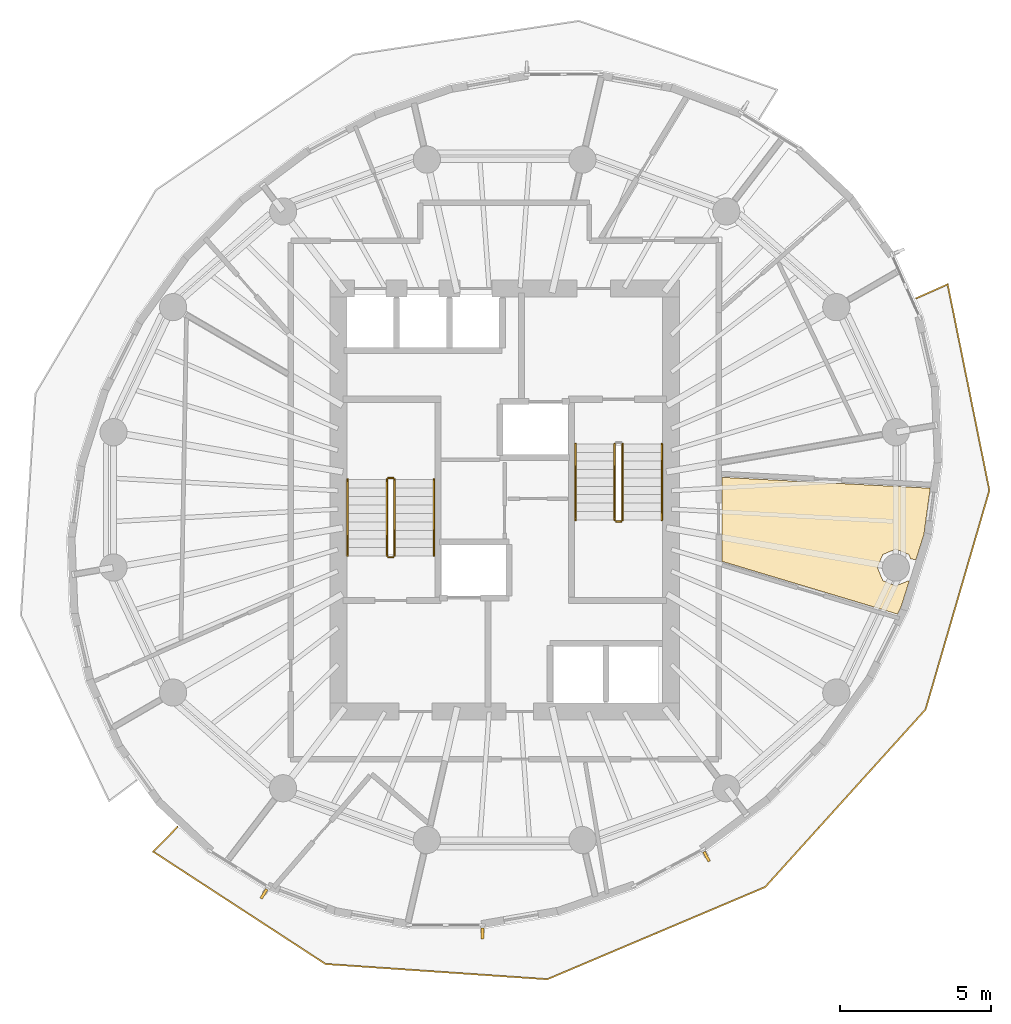
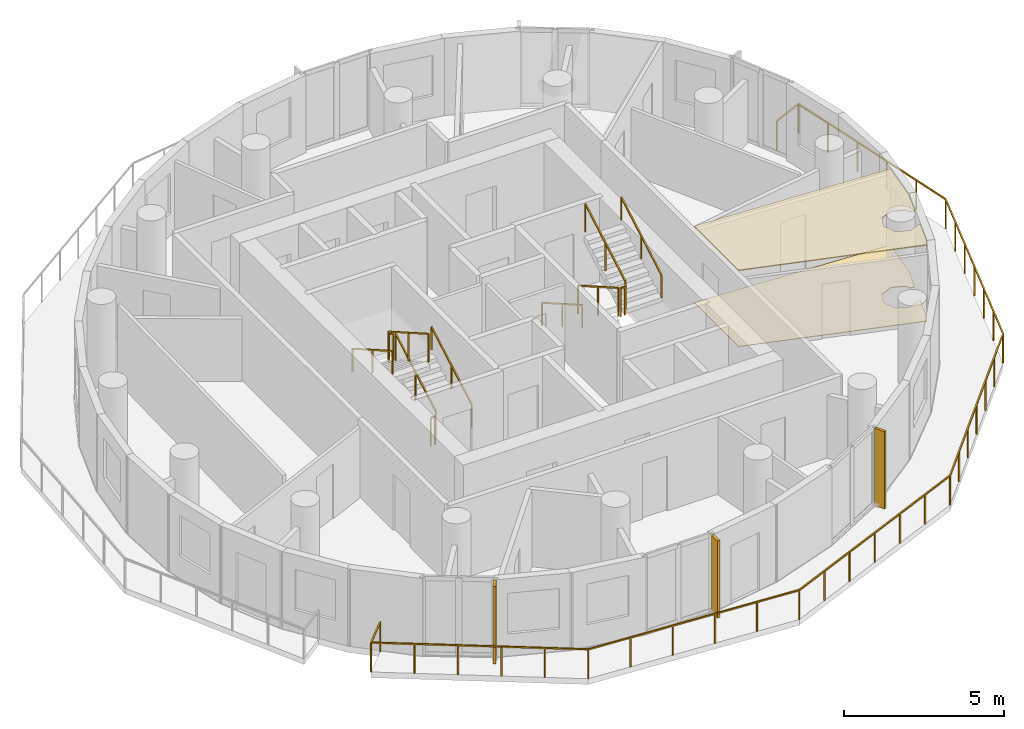
# One storey, part 8 of 10: 12 railings, 3 shading devices, 2 coverings.
"""IFC4 building model written with IfcOpenShell, lengths in metres."""

from ifc_helpers import new_model, si_unit, direction, frame, origin, origin_2d, place, context, subcontext, project, spatial, polyline, rectangle, outline, extrude, material, layer, layer_set, type_object, element, save


model = new_model("IFC4")

# Units and contexts
model_context = context("Model", 3, precision=1e-05, world=origin(), true_north=direction((0.0, 1.0)))
body_context = subcontext(model_context, "Body", "Model", "MODEL_VIEW")
ifc_project = project(units=[si_unit("LENGTHUNIT", "METRE"), si_unit("AREAUNIT", "SQUARE_METRE"), si_unit("VOLUMEUNIT", "CUBIC_METRE"), si_unit("PLANEANGLEUNIT", "RADIAN"), si_unit("MASSUNIT", "GRAM", prefix="KILO")], contexts=[model_context])

# Site, building, storey
site_placement = place(None, origin())
site = spatial("IfcSite", under=ifc_project, at=site_placement, CompositionType="ELEMENT")
building_placement = place(site_placement, origin())
building = spatial("IfcBuilding", under=site, at=building_placement, Name="Veldorim Arch Residences", CompositionType="ELEMENT")
storey_placement = place(building_placement, frame((0.0, 0.0, 172.639892578125)))
storey = spatial("IfcBuildingStorey", under=building, at=storey_placement, Name="L51", CompositionType="ELEMENT", Elevation=172.639892578125)

# Railings
ifc_material_1 = material(Name="Aluminium", Category="aluminium")
railing_type_1 = type_object("IfcRailingType", Name="Balcony & Terrace Laminated Glass Balustrade 1150", PredefinedType="BALUSTRADE", material=ifc_material_1)
railing_1_placement = place(storey_placement, frame((21.172607421875, 13.17724609375, 0.0)))
element("IfcRailing", 1, at=railing_1_placement, inside=storey, type_object=railing_type_1, Name="L51 crescent balcony safety balustrade B", PredefinedType="BALUSTRADE", context=body_context, shape_type="SweptSolid", body=[
    extrude(rectangle(XDim=0.048095703125, YDim=0.048095703125, at=origin_2d()), frame((0.0, 0.0, 1.1259765625), z_axis=(-0.700173288971, -0.713972944454, 0.0), x_axis=(0.713972944454, -0.700173288971, 0.0)), (0.0, 0.0, 1.0), 1.14990234375),
    extrude(rectangle(XDim=0.048095703125, YDim=0.048095703125, at=origin_2d()), frame((-0.80517578125, -0.821044921875, 1.1259765625), z_axis=(0.837688338332, -0.546148558382, 0.0), x_axis=(0.546148558382, 0.837688338332, 0.0)), (0.0, 0.0, 1.0), 6.80908203125),
    extrude(rectangle(XDim=0.048095703125, YDim=0.048095703125, at=origin_2d()), frame((4.898681640625, -4.539794921875, 1.1259765625), z_axis=(0.997644680332, -0.068593671764, 0.0), x_axis=(0.068593671764, 0.997644680332, 0.0)), (0.0, 0.0, 1.0), 7.35693359375),
    extrude(rectangle(XDim=0.048095703125, YDim=0.048095703125, at=origin_2d()), frame((12.23828125, -5.04443359375, 1.1259765625), z_axis=(0.920939712465, 0.389705075673, 0.0), x_axis=(-0.389705075673, 0.920939712465, 0.0)), (0.0, 0.0, 1.0), 7.83154296875),
    extrude(rectangle(XDim=0.048095703125, YDim=0.048095703125, at=origin_2d()), frame((19.45068359375, -1.992431640625, 1.1259765625), z_axis=(0.670326238201, 0.742066529618, 0.0), x_axis=(-0.742066529618, 0.670326238201, 0.0)), (0.0, 0.0, 1.0), 7.9189453125),
    extrude(rectangle(XDim=0.048095703125, YDim=0.048095703125, at=origin_2d()), frame((24.759033203125, 3.884033203125, 1.1259765625), z_axis=(0.279642617111, 0.960104164503, 0.0), x_axis=(-0.960104164503, 0.279642617111, 0.0)), (0.0, 0.0, 1.0), 7.555419921875),
    extrude(rectangle(XDim=0.048095703125, YDim=0.048095703125, at=origin_2d()), frame((26.871826171875, 11.137939453125, 1.1259765625), z_axis=(-0.198747614893, 0.980050705614, 0.0), x_axis=(-0.980050705614, -0.198747614893, 0.0)), (0.0, 0.0, 1.0), 6.956298828125),
    extrude(rectangle(XDim=0.048095703125, YDim=0.048095703125, at=origin_2d()), frame((25.4892578125, 17.95556640625, 1.1259765625), z_axis=(-0.913802793159, -0.406158165268, 0.0), x_axis=(0.406158165268, -0.913802793159, 0.0)), (0.0, 0.0, 1.0), 1.14990234375),
    extrude(rectangle(XDim=0.0419921875, YDim=0.0419921875, at=origin_2d()), origin(), (0.0, 0.0, 1.0), 1.101806640625),
    extrude(rectangle(XDim=0.0419921875, YDim=0.0419921875, at=origin_2d()), frame((-0.80517578125, -0.821044921875, 0.0)), (0.0, 0.0, 1.0), 1.101806640625),
    extrude(rectangle(XDim=0.0419921875, YDim=0.0419921875, at=origin_2d()), frame((0.335693359375, -1.564697265625, 0.0)), (0.0, 0.0, 1.0), 1.101806640625),
    extrude(rectangle(XDim=0.0419921875, YDim=0.0419921875, at=origin_2d()), frame((1.476318359375, -2.30859375, 0.0)), (0.0, 0.0, 1.0), 1.101806640625),
    extrude(rectangle(XDim=0.0419921875, YDim=0.0419921875, at=origin_2d()), frame((2.6171875, -3.05224609375, 0.0)), (0.0, 0.0, 1.0), 1.101806640625),
    extrude(rectangle(XDim=0.0419921875, YDim=0.0419921875, at=origin_2d()), frame((3.7578125, -3.796142578125, 0.0)), (0.0, 0.0, 1.0), 1.101806640625),
    extrude(rectangle(XDim=0.0419921875, YDim=0.0419921875, at=origin_2d()), frame((4.898681640625, -4.539794921875, 0.0)), (0.0, 0.0, 1.0), 1.101806640625),
    extrude(rectangle(XDim=0.0419921875, YDim=0.0419921875, at=origin_2d()), frame((6.36669921875, -4.640625, 0.0)), (0.0, 0.0, 1.0), 1.101806640625),
    extrude(rectangle(XDim=0.0419921875, YDim=0.0419921875, at=origin_2d()), frame((7.83447265625, -4.74169921875, 0.0)), (0.0, 0.0, 1.0), 1.101806640625),
    extrude(rectangle(XDim=0.0419921875, YDim=0.0419921875, at=origin_2d()), frame((9.302490234375, -4.842529296875, 0.0)), (0.0, 0.0, 1.0), 1.101806640625),
    extrude(rectangle(XDim=0.0419921875, YDim=0.0419921875, at=origin_2d()), frame((10.770263671875, -4.943603515625, 0.0)), (0.0, 0.0, 1.0), 1.101806640625),
    extrude(rectangle(XDim=0.0419921875, YDim=0.0419921875, at=origin_2d()), frame((12.23828125, -5.04443359375, 0.0)), (0.0, 0.0, 1.0), 1.101806640625),
    extrude(rectangle(XDim=0.0419921875, YDim=0.0419921875, at=origin_2d()), frame((13.4404296875, -4.53564453125, 0.0)), (0.0, 0.0, 1.0), 1.101806640625),
    extrude(rectangle(XDim=0.0419921875, YDim=0.0419921875, at=origin_2d()), frame((14.642333984375, -4.027099609375, 0.0)), (0.0, 0.0, 1.0), 1.101806640625),
    extrude(rectangle(XDim=0.0419921875, YDim=0.0419921875, at=origin_2d()), frame((15.844482421875, -3.5185546875, 0.0)), (0.0, 0.0, 1.0), 1.101806640625),
    extrude(rectangle(XDim=0.0419921875, YDim=0.0419921875, at=origin_2d()), frame((17.046630859375, -3.009765625, 0.0)), (0.0, 0.0, 1.0), 1.101806640625),
    extrude(rectangle(XDim=0.0419921875, YDim=0.0419921875, at=origin_2d()), frame((18.24853515625, -2.5009765625, 0.0)), (0.0, 0.0, 1.0), 1.101806640625),
    extrude(rectangle(XDim=0.0419921875, YDim=0.0419921875, at=origin_2d()), frame((19.45068359375, -1.992431640625, 0.0)), (0.0, 0.0, 1.0), 1.101806640625),
    extrude(rectangle(XDim=0.0419921875, YDim=0.0419921875, at=origin_2d()), frame((20.33544921875, -1.012939453125, 0.0)), (0.0, 0.0, 1.0), 1.101806640625),
    extrude(rectangle(XDim=0.0419921875, YDim=0.0419921875, at=origin_2d()), frame((21.22021484375, -0.03369140625, 0.0)), (0.0, 0.0, 1.0), 1.101806640625),
    extrude(rectangle(XDim=0.0419921875, YDim=0.0419921875, at=origin_2d()), frame((22.10498046875, 0.94580078125, 0.0)), (0.0, 0.0, 1.0), 1.101806640625),
    extrude(rectangle(XDim=0.0419921875, YDim=0.0419921875, at=origin_2d()), frame((22.989501953125, 1.92529296875, 0.0)), (0.0, 0.0, 1.0), 1.101806640625),
    extrude(rectangle(XDim=0.0419921875, YDim=0.0419921875, at=origin_2d()), frame((23.874267578125, 2.904541015625, 0.0)), (0.0, 0.0, 1.0), 1.101806640625),
    extrude(rectangle(XDim=0.0419921875, YDim=0.0419921875, at=origin_2d()), frame((24.759033203125, 3.884033203125, 0.0)), (0.0, 0.0, 1.0), 1.101806640625),
    extrude(rectangle(XDim=0.0419921875, YDim=0.0419921875, at=origin_2d()), frame((25.111083984375, 5.093017578125, 0.0)), (0.0, 0.0, 1.0), 1.101806640625),
    extrude(rectangle(XDim=0.0419921875, YDim=0.0419921875, at=origin_2d()), frame((25.46337890625, 6.302001953125, 0.0)), (0.0, 0.0, 1.0), 1.101806640625),
    extrude(rectangle(XDim=0.0419921875, YDim=0.0419921875, at=origin_2d()), frame((25.8154296875, 7.510986328125, 0.0)), (0.0, 0.0, 1.0), 1.101806640625),
    extrude(rectangle(XDim=0.0419921875, YDim=0.0419921875, at=origin_2d()), frame((26.16748046875, 8.719970703125, 0.0)), (0.0, 0.0, 1.0), 1.101806640625),
    extrude(rectangle(XDim=0.0419921875, YDim=0.0419921875, at=origin_2d()), frame((26.519775390625, 9.928955078125, 0.0)), (0.0, 0.0, 1.0), 1.101806640625),
    extrude(rectangle(XDim=0.0419921875, YDim=0.0419921875, at=origin_2d()), frame((26.871826171875, 11.137939453125, 0.0)), (0.0, 0.0, 1.0), 1.101806640625),
    extrude(rectangle(XDim=0.0419921875, YDim=0.0419921875, at=origin_2d()), frame((26.59521484375, 12.50146484375, 0.0)), (0.0, 0.0, 1.0), 1.101806640625),
    extrude(rectangle(XDim=0.0419921875, YDim=0.0419921875, at=origin_2d()), frame((26.31884765625, 13.864990234375, 0.0)), (0.0, 0.0, 1.0), 1.101806640625),
    extrude(rectangle(XDim=0.0419921875, YDim=0.0419921875, at=origin_2d()), frame((26.042236328125, 15.228515625, 0.0)), (0.0, 0.0, 1.0), 1.101806640625),
    extrude(rectangle(XDim=0.0419921875, YDim=0.0419921875, at=origin_2d()), frame((25.765869140625, 16.592041015625, 0.0)), (0.0, 0.0, 1.0), 1.101806640625),
    extrude(rectangle(XDim=0.0419921875, YDim=0.0419921875, at=origin_2d()), frame((25.4892578125, 17.95556640625, 0.0)), (0.0, 0.0, 1.0), 1.101806640625),
    extrude(rectangle(XDim=0.0419921875, YDim=0.0419921875, at=origin_2d()), frame((24.4384765625, 17.488525390625, 0.0)), (0.0, 0.0, 1.0), 1.101806640625),
])
ifc_material_2 = material(Name="Steel S355", Category="steel")
railing_type_2 = type_object("IfcRailingType", Name="Galvanised Steel Stair Safety Guardrail 1100", PredefinedType="GUARDRAIL", material=ifc_material_2)
railing_2_placement = place(storey_placement, frame((28.360107421875, 22.14990234375, 0.16015625)))
element("IfcRailing", 2, at=railing_2_placement, inside=storey, type_object=railing_type_2, Name="L51 ST-1 stair guard 1", PredefinedType="GUARDRAIL", context=body_context, shape_type="SweptSolid", body=[
    extrude(rectangle(XDim=0.048095703125, YDim=0.048095703125, at=origin_2d()), frame((0.0, 0.0, 1.076171875), z_axis=(0.0, 0.868253494771, 0.496120820787), x_axis=(-1.0, 0.0, 0.0)), (0.0, 0.0, 1.0), 2.90234375),
    extrude(rectangle(XDim=0.0419921875, YDim=0.0419921875, at=origin_2d()), origin(), (0.0, 0.0, 1.0), 1.052001953125),
    extrude(rectangle(XDim=0.0419921875, YDim=0.0419921875, at=origin_2d()), frame((0.0, 1.260009765625, 0.719970703125)), (0.0, 0.0, 1.0), 1.052001953125),
    extrude(rectangle(XDim=0.0419921875, YDim=0.0419921875, at=origin_2d()), frame((0.0, 2.52001953125, 1.43994140625)), (0.0, 0.0, 1.0), 1.052001953125),
])
railing_3_placement = place(storey_placement, frame((28.31005859375, 24.719970703125, 1.60009765625)))
element("IfcRailing", 3, at=railing_3_placement, inside=storey, type_object=railing_type_2, Name="L51 ST-1 stair guard 2", PredefinedType="GUARDRAIL", context=body_context, shape_type="SweptSolid", body=[
    extrude(rectangle(XDim=0.048095703125, YDim=0.048095703125, at=origin_2d()), frame((0.0, 0.0, 1.076171875), z_axis=(-1.0, 0.0, 0.0), x_axis=(0.0, -1.0, 0.0)), (0.0, 0.0, 1.0), 0.16015625),
    extrude(rectangle(XDim=0.0419921875, YDim=0.0419921875, at=origin_2d()), origin(), (0.0, 0.0, 1.0), 1.052001953125),
    extrude(rectangle(XDim=0.0419921875, YDim=0.0419921875, at=origin_2d()), frame((-0.16015625, 0.0, 0.0)), (0.0, 0.0, 1.0), 1.052001953125),
])
railing_4_placement = place(storey_placement, frame((28.10009765625, 24.669921875, 1.760009765625)))
element("IfcRailing", 4, at=railing_4_placement, inside=storey, type_object=railing_type_2, Name="L51 ST-1 stair guard 3", PredefinedType="GUARDRAIL", context=body_context, shape_type="SweptSolid", body=[
    extrude(rectangle(XDim=0.048095703125, YDim=0.048095703125, at=origin_2d()), frame((0.0, 0.0, 1.076171875), z_axis=(0.0, -0.868217259934, 0.496184229447), x_axis=(1.0, 0.0, 0.0)), (0.0, 0.0, 1.0), 2.902587890625),
    extrude(rectangle(XDim=0.0419921875, YDim=0.0419921875, at=origin_2d()), origin(), (0.0, 0.0, 1.0), 1.052001953125),
    extrude(rectangle(XDim=0.0419921875, YDim=0.0419921875, at=origin_2d()), frame((0.0, -1.260009765625, 0.72021484375)), (0.0, 0.0, 1.0), 1.052001953125),
    extrude(rectangle(XDim=0.0419921875, YDim=0.0419921875, at=origin_2d()), frame((0.0, -2.52001953125, 1.440185546875)), (0.0, 0.0, 1.0), 1.052001953125),
])
railing_5_placement = place(storey_placement, frame((28.31005859375, 22.10009765625, 0.0)))
element("IfcRailing", 5, at=railing_5_placement, inside=storey, type_object=railing_type_2, Name="L51 ST-1 stair guard 4", PredefinedType="GUARDRAIL", context=body_context, shape_type="SweptSolid", body=[
    extrude(rectangle(XDim=0.048095703125, YDim=0.048095703125, at=origin_2d()), frame((0.0, 0.0, 1.076171875), z_axis=(-1.0, 0.0, 0.0), x_axis=(0.0, -1.0, 0.0)), (0.0, 0.0, 1.0), 0.16015625),
    extrude(rectangle(XDim=0.0419921875, YDim=0.0419921875, at=origin_2d()), origin(), (0.0, 0.0, 1.0), 1.052001953125),
    extrude(rectangle(XDim=0.0419921875, YDim=0.0419921875, at=origin_2d()), frame((-0.16015625, 0.0, 0.0)), (0.0, 0.0, 1.0), 1.052001953125),
])
railing_6_placement = place(storey_placement, frame((35.639892578125, 25.85009765625, 0.16015625)))
element("IfcRailing", 6, at=railing_6_placement, inside=storey, type_object=railing_type_2, Name="L51 ST-2 stair guard 1", PredefinedType="GUARDRAIL", context=body_context, shape_type="SweptSolid", body=[
    extrude(rectangle(XDim=0.048095703125, YDim=0.048095703125, at=origin_2d()), frame((0.0, 0.0, 1.076171875), z_axis=(0.0, -0.868253494771, 0.496120820787), x_axis=(1.0, 0.0, 0.0)), (0.0, 0.0, 1.0), 2.90234375),
    extrude(rectangle(XDim=0.0419921875, YDim=0.0419921875, at=origin_2d()), origin(), (0.0, 0.0, 1.0), 1.052001953125),
    extrude(rectangle(XDim=0.0419921875, YDim=0.0419921875, at=origin_2d()), frame((0.0, -1.260009765625, 0.719970703125)), (0.0, 0.0, 1.0), 1.052001953125),
    extrude(rectangle(XDim=0.0419921875, YDim=0.0419921875, at=origin_2d()), frame((0.0, -2.52001953125, 1.43994140625)), (0.0, 0.0, 1.0), 1.052001953125),
])
railing_7_placement = place(storey_placement, frame((35.68994140625, 23.280029296875, 1.60009765625)))
element("IfcRailing", 7, at=railing_7_placement, inside=storey, type_object=railing_type_2, Name="L51 ST-2 stair guard 2", PredefinedType="GUARDRAIL", context=body_context, shape_type="SweptSolid", body=[
    extrude(rectangle(XDim=0.048095703125, YDim=0.048095703125, at=origin_2d()), frame((0.0, 0.0, 1.076171875), z_axis=(1.0, 0.0, 0.0), x_axis=(0.0, 1.0, 0.0)), (0.0, 0.0, 1.0), 0.16015625),
    extrude(rectangle(XDim=0.0419921875, YDim=0.0419921875, at=origin_2d()), origin(), (0.0, 0.0, 1.0), 1.052001953125),
    extrude(rectangle(XDim=0.0419921875, YDim=0.0419921875, at=origin_2d()), frame((0.16015625, 0.0, 0.0)), (0.0, 0.0, 1.0), 1.052001953125),
])
railing_8_placement = place(storey_placement, frame((35.89990234375, 23.330078125, 1.760009765625)))
element("IfcRailing", 8, at=railing_8_placement, inside=storey, type_object=railing_type_2, Name="L51 ST-2 stair guard 3", PredefinedType="GUARDRAIL", context=body_context, shape_type="SweptSolid", body=[
    extrude(rectangle(XDim=0.048095703125, YDim=0.048095703125, at=origin_2d()), frame((0.0, 0.0, 1.076171875), z_axis=(0.0, 0.868217259934, 0.496184229447), x_axis=(-1.0, 0.0, 0.0)), (0.0, 0.0, 1.0), 2.902587890625),
    extrude(rectangle(XDim=0.0419921875, YDim=0.0419921875, at=origin_2d()), origin(), (0.0, 0.0, 1.0), 1.052001953125),
    extrude(rectangle(XDim=0.0419921875, YDim=0.0419921875, at=origin_2d()), frame((0.0, 1.260009765625, 0.72021484375)), (0.0, 0.0, 1.0), 1.052001953125),
    extrude(rectangle(XDim=0.0419921875, YDim=0.0419921875, at=origin_2d()), frame((0.0, 2.52001953125, 1.440185546875)), (0.0, 0.0, 1.0), 1.052001953125),
])

# Coverings
ifc_material_3 = material(Name="Acoustic Gypsum & Mineral Fibre", Category="gypsum")
ifc_layer_1 = layer(ifc_material_3, 0.034912109375, Name="Perforated Acoustic Mineral-Fibre Ceiling 35")
ifc_layer_set_1 = layer_set([ifc_layer_1], Name="Acoustic Gypsum & Mineral Fibre")
covering_type_1 = type_object("IfcCoveringType", Name="Perforated Acoustic Mineral-Fibre Ceiling 35", PredefinedType="CEILING", material=ifc_layer_set_1)
covering_1_placement = place(storey_placement, frame((0.0, 0.0, 2.905029296875)))
element("IfcCovering", 9, at=covering_1_placement, inside=storey, type_object=covering_type_1, Name="L51 acoustic suspended ceiling 01", PredefinedType="CEILING", context=body_context, shape_type="SweptSolid", body=[
    extrude(outline(polyline([(45.3876953125, 21.31103515625), (45.11767578125, 20.455078125), (44.999267578125, 20.220458984375), (39.199951171875, 21.96240234375), (39.199951171875, 24.745361328125), (46.08544921875, 24.385498046875), (45.875, 22.8564453125), (45.61083984375, 22.018310546875), (45.43701171875, 22.048583984375), (45.377685546875, 22.191650390625), (44.9462890625, 22.370361328125), (44.51513671875, 22.191650390625), (44.33642578125, 21.760498046875), (44.51513671875, 21.3291015625), (44.9462890625, 21.150390625), (45.349853515625, 21.317626953125), (45.3876953125, 21.31103515625)])), origin(), (0.0, 0.0, 1.0), 0.03515625),
])
ifc_material_4 = material(Name="Porcelain Ceramic Tile", Category="ceramic")
ifc_layer_2 = layer(ifc_material_4, 0.02001953125, Name="Slip-Resistant Porcelain & Vinyl Floor Finish 20")
ifc_layer_set_2 = layer_set([ifc_layer_2], Name="Porcelain Ceramic Tile")
covering_type_2 = type_object("IfcCoveringType", Name="Slip-Resistant Porcelain & Vinyl Floor Finish 20", PredefinedType="FLOORING", material=ifc_layer_set_2)
covering_2_placement = place(storey_placement, origin())
element("IfcCovering", 10, at=covering_2_placement, inside=storey, type_object=covering_type_2, Name="L51 porcelain floor finish 01", PredefinedType="FLOORING", context=body_context, shape_type="SweptSolid", body=[
    extrude(outline(polyline([(45.3876953125, 21.31103515625), (45.11767578125, 20.455078125), (44.999267578125, 20.220458984375), (39.199951171875, 21.96240234375), (39.199951171875, 24.745361328125), (46.08544921875, 24.385498046875), (45.875, 22.8564453125), (45.61083984375, 22.018310546875), (45.43701171875, 22.048583984375), (45.377685546875, 22.191650390625), (44.9462890625, 22.370361328125), (44.51513671875, 22.191650390625), (44.33642578125, 21.760498046875), (44.51513671875, 21.3291015625), (44.9462890625, 21.150390625), (45.349853515625, 21.317626953125), (45.3876953125, 21.31103515625)])), origin(), (0.0, 0.0, 1.0), 0.02001953125),
])

# Railings
ifc_material_5 = material(Name="Stainless Steel", Category="steel")
railing_type_3 = type_object("IfcRailingType", Name="Tubular Steel Continuous Wall Handrail 900", PredefinedType="HANDRAIL", material=ifc_material_5)
railing_9_placement = place(storey_placement, frame((29.659912109375, 22.14990234375, 0.16015625)))
element("IfcRailing", 11, at=railing_9_placement, inside=storey, type_object=railing_type_3, Name="L51 ST-1 stair handrail 1", PredefinedType="HANDRAIL", context=body_context, shape_type="SweptSolid", body=[
    extrude(rectangle(XDim=0.048095703125, YDim=0.048095703125, at=origin_2d()), frame((0.0, 0.0, 0.8759765625), z_axis=(0.0, 0.868253494771, 0.496120820787), x_axis=(-1.0, 0.0, 0.0)), (0.0, 0.0, 1.0), 2.90234375),
    extrude(rectangle(XDim=0.0419921875, YDim=0.0419921875, at=origin_2d()), origin(), (0.0, 0.0, 1.0), 0.851806640625),
    extrude(rectangle(XDim=0.0419921875, YDim=0.0419921875, at=origin_2d()), frame((0.0, 1.260009765625, 0.719970703125)), (0.0, 0.0, 1.0), 0.851806640625),
    extrude(rectangle(XDim=0.0419921875, YDim=0.0419921875, at=origin_2d()), frame((0.0, 2.52001953125, 1.43994140625)), (0.0, 0.0, 1.0), 0.851806640625),
])
railing_10_placement = place(storey_placement, frame((26.800048828125, 24.669921875, 1.760009765625)))
element("IfcRailing", 12, at=railing_10_placement, inside=storey, type_object=railing_type_3, Name="L51 ST-1 stair handrail 2", PredefinedType="HANDRAIL", context=body_context, shape_type="SweptSolid", body=[
    extrude(rectangle(XDim=0.048095703125, YDim=0.048095703125, at=origin_2d()), frame((0.0, 0.0, 0.8759765625), z_axis=(0.0, -0.868217259934, 0.496184229447), x_axis=(1.0, 0.0, 0.0)), (0.0, 0.0, 1.0), 2.902587890625),
    extrude(rectangle(XDim=0.0419921875, YDim=0.0419921875, at=origin_2d()), origin(), (0.0, 0.0, 1.0), 0.851806640625),
    extrude(rectangle(XDim=0.0419921875, YDim=0.0419921875, at=origin_2d()), frame((0.0, -1.260009765625, 0.72021484375)), (0.0, 0.0, 1.0), 0.851806640625),
    extrude(rectangle(XDim=0.0419921875, YDim=0.0419921875, at=origin_2d()), frame((0.0, -2.52001953125, 1.440185546875)), (0.0, 0.0, 1.0), 0.851806640625),
])
railing_11_placement = place(storey_placement, frame((34.340087890625, 25.85009765625, 0.16015625)))
element("IfcRailing", 13, at=railing_11_placement, inside=storey, type_object=railing_type_3, Name="L51 ST-2 stair handrail 1", PredefinedType="HANDRAIL", context=body_context, shape_type="SweptSolid", body=[
    extrude(rectangle(XDim=0.048095703125, YDim=0.048095703125, at=origin_2d()), frame((0.0, 0.0, 0.8759765625), z_axis=(0.0, -0.868253494771, 0.496120820787), x_axis=(1.0, 0.0, 0.0)), (0.0, 0.0, 1.0), 2.90234375),
    extrude(rectangle(XDim=0.0419921875, YDim=0.0419921875, at=origin_2d()), origin(), (0.0, 0.0, 1.0), 0.851806640625),
    extrude(rectangle(XDim=0.0419921875, YDim=0.0419921875, at=origin_2d()), frame((0.0, -1.260009765625, 0.719970703125)), (0.0, 0.0, 1.0), 0.851806640625),
    extrude(rectangle(XDim=0.0419921875, YDim=0.0419921875, at=origin_2d()), frame((0.0, -2.52001953125, 1.43994140625)), (0.0, 0.0, 1.0), 0.851806640625),
])
railing_12_placement = place(storey_placement, frame((37.199951171875, 23.330078125, 1.760009765625)))
element("IfcRailing", 14, at=railing_12_placement, inside=storey, type_object=railing_type_3, Name="L51 ST-2 stair handrail 2", PredefinedType="HANDRAIL", context=body_context, shape_type="SweptSolid", body=[
    extrude(rectangle(XDim=0.048095703125, YDim=0.048095703125, at=origin_2d()), frame((0.0, 0.0, 0.8759765625), z_axis=(0.0, 0.868217259934, 0.496184229447), x_axis=(-1.0, 0.0, 0.0)), (0.0, 0.0, 1.0), 2.902587890625),
    extrude(rectangle(XDim=0.0419921875, YDim=0.0419921875, at=origin_2d()), origin(), (0.0, 0.0, 1.0), 0.851806640625),
    extrude(rectangle(XDim=0.0419921875, YDim=0.0419921875, at=origin_2d()), frame((0.0, 1.260009765625, 0.72021484375)), (0.0, 0.0, 1.0), 0.851806640625),
    extrude(rectangle(XDim=0.0419921875, YDim=0.0419921875, at=origin_2d()), frame((0.0, 2.52001953125, 1.440185546875)), (0.0, 0.0, 1.0), 0.851806640625),
])

# Shading devices
ifc_material_6 = material(Name="Terracotta Ceramic", Category="masonry")
ifc_layer_3 = layer(ifc_material_6, 0.090087890625, Name="Vertical Extruded Terracotta Baguette Sun-Shading Fin")
ifc_layer_set_3 = layer_set([ifc_layer_3], Name="Terracotta Ceramic")
shading_device_type = type_object("IfcShadingDeviceType", Name="Vertical Extruded Terracotta Baguette Sun-Shading Fin", PredefinedType="USERDEFINED", material=ifc_layer_set_3)
for number, where, z_axis, x_axis, name in (
    (15, (24.0322265625, 10.959716796875, 0.000244140625), (0.0, 0.0, 1.0), (-0.850719384362, 0.52562013762, 0.0), "L51 vertical terracotta sun-shading fin 20"),
    (16, (31.264892578125, 9.654052734375, 0.000244140625), (0.0, 0.0, 1.0), (-0.999996573056, -0.002617990887, 0.0), "L51 vertical terracotta sun-shading fin 23"),
    (17, (38.683349609375, 12.194580078125, 0.000244140625), (0.0, 0.0, 1.0), (-0.882537565484, -0.470241901057, 0.0), "L51 vertical terracotta sun-shading fin 26"),
):
    element("IfcShadingDevice", number, at=place(storey_placement, frame(where, z_axis=z_axis, x_axis=x_axis)), inside=storey, type_object=shading_device_type, Name=name, ObjectType="FIN", PredefinedType="USERDEFINED", context=body_context, shape_type="SweptSolid", body=[
        extrude(rectangle(XDim=0.090087890625, YDim=0.360107421875, at=origin_2d()), origin(), (0.0, 0.0, 1.0), 2.9599609375),
    ])

save(model, "model.ifc")
